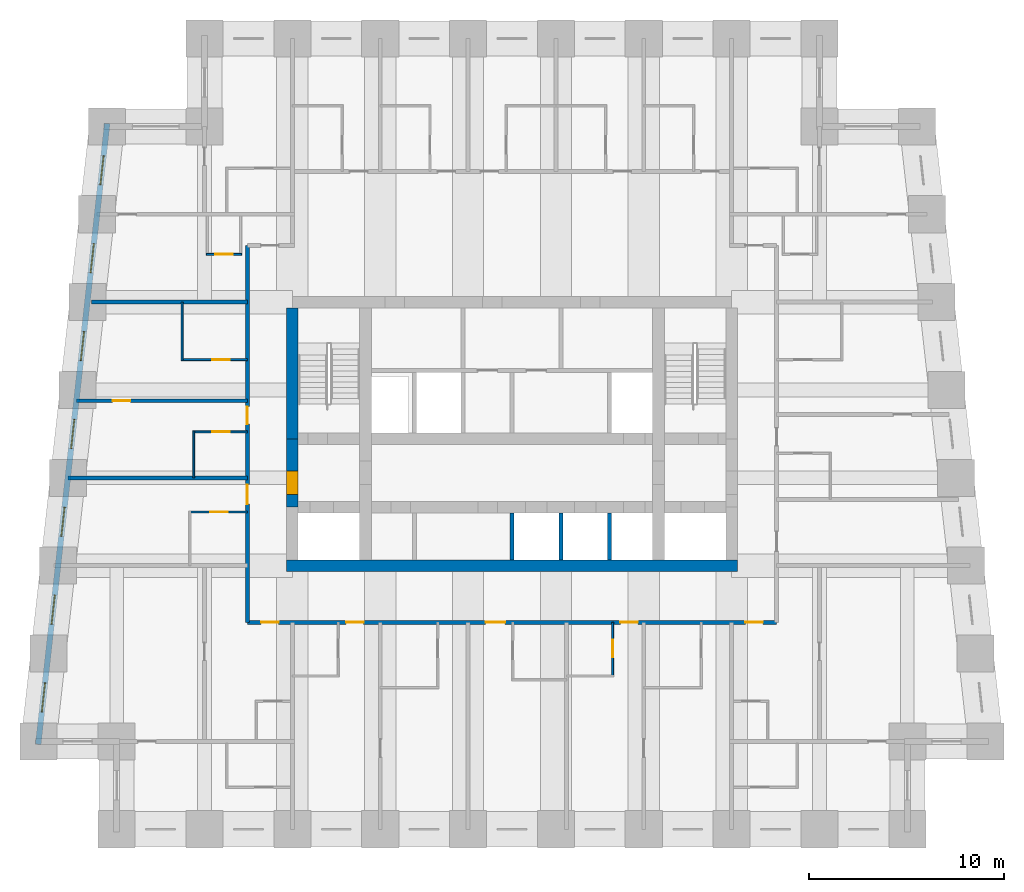
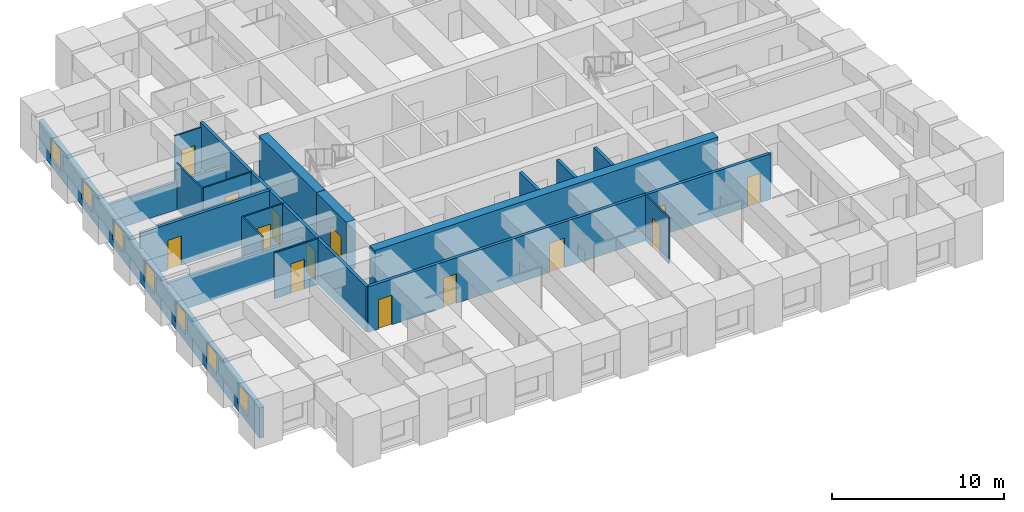
# One storey, part 3 of 8: 19 walls, 14 doors, 7 windows, 21 openings.
"""IFC4 building model written with IfcOpenShell, lengths in metres."""

from ifc_helpers import new_model, si_unit, direction, frame, frame_2d, origin, place, context, subcontext, project, spatial, rectangle, extrude, material, layer, layer_set, type_object, element, fill, save


model = new_model("IFC4")

# Units and contexts
model_context = context("Model", 3, precision=1e-05, world=origin(), true_north=direction((0.0, 1.0)))
body_context = subcontext(model_context, "Body", "Model", "MODEL_VIEW")
ifc_project = project(units=[si_unit("LENGTHUNIT", "METRE"), si_unit("AREAUNIT", "SQUARE_METRE"), si_unit("VOLUMEUNIT", "CUBIC_METRE"), si_unit("PLANEANGLEUNIT", "RADIAN"), si_unit("MASSUNIT", "GRAM", prefix="KILO")], contexts=[model_context])

# Site, building, storey
site_placement = place(None, origin())
site = spatial("IfcSite", under=ifc_project, at=site_placement, CompositionType="ELEMENT")
building_placement = place(site_placement, origin())
building = spatial("IfcBuilding", under=site, at=building_placement, Name="Kilele Tower Hotel", CompositionType="ELEMENT")
storey_placement = place(building_placement, frame((0.0, 0.0, 93.39990234375)))
storey = spatial("IfcBuildingStorey", under=building, at=storey_placement, Name="L23", CompositionType="ELEMENT", Elevation=93.39990234375)

# Wall, opening, door
ifc_material_1 = material(Name="Moisture-resistant board")
ifc_layer_1 = layer(ifc_material_1, 0.10009765625)
ifc_layer_set_1 = layer_set([ifc_layer_1], Name="Moisture-resistant board")
wall_type_1 = type_object("IfcWallType", Name="Bathroom partition 100", PredefinedType="PLUMBINGWALL", material=ifc_layer_set_1)
wall_1_placement = place(storey_placement, frame((29.89990234375, 10.60009765625, 0.0), z_axis=(0.0, 0.0, 1.0), x_axis=(0.0, -1.0, 0.0)))
wall_1 = element("IfcWall", 1, at=wall_1_placement, inside=storey, type_object=wall_type_1, Name="Bathroom partition 100 L23", PredefinedType="PLUMBINGWALL", context=body_context, shape_type="SweptSolid", body=[
    extrude(rectangle(XDim=2.800048828125, YDim=0.10009765625, at=frame_2d((1.39990234375, 0.0))), origin(), (0.0, 0.0, 1.0), 3.25),
])
opening_1_placement = place(wall_1_placement, frame((0.89990234375, 0.0, 0.0)))
opening_1 = element("IfcOpeningElement", 2, at=opening_1_placement, cuts=wall_1, Name="Opening D2A", PredefinedType="OPENING", context=body_context, shape_type="SweptSolid", body=[
    extrude(rectangle(XDim=0.89990234375, YDim=2.10009765625, at=frame_2d((0.449951171875, 1.050048828125))), frame((0.0, 0.06005859375, 0.0), z_axis=(0.0, -1.0, 0.0), x_axis=(1.0, 0.0, 0.0)), (0.0, 0.0, 1.0), 0.1201171875),
])
ifc_material_2 = material(Name="Timber door leaf in hardwood frame", Category="wood")
door_type_1 = type_object("IfcDoorType", Name="Bathroom door 900", OperationType="SINGLE_SWING_LEFT", PredefinedType="DOOR", material=ifc_material_2)
door_1_placement = place(opening_1_placement, origin())
door_1 = element("IfcDoor", 3, at=door_1_placement, inside=storey, type_object=door_type_1, Name="Bathroom door 2304B", OperationType="SINGLE_SWING_LEFT", OverallHeight=2.10009765625, OverallWidth=0.89990234375, PredefinedType="DOOR", context=body_context, shape_type="SweptSolid", body=[
    extrude(rectangle(XDim=0.89990234375, YDim=2.10009765625, at=frame_2d((0.449951171875, 1.050048828125))), frame((0.0, 0.02490234375, 0.0), z_axis=(0.0, -1.0, 0.0), x_axis=(1.0, 0.0, 0.0)), (0.0, 0.0, 1.0), 0.050048828125),
])
fill(opening_1, door_1)

wall_2_placement = place(storey_placement, frame((11.199951171875, 16.25, 0.0), z_axis=(0.0, 0.0, 1.0), x_axis=(-1.0, 0.0, 0.0)))
wall_2 = element("IfcWall", 4, at=wall_2_placement, inside=storey, type_object=wall_type_1, Name="Bathroom partition 100 L23", PredefinedType="PLUMBINGWALL", context=body_context, shape_type="SweptSolid", body=[
    extrude(rectangle(XDim=3.0, YDim=0.10009765625, at=frame_2d((1.5, 0.0))), origin(), (0.0, 0.0, 1.0), 3.25),
])
opening_2_placement = place(wall_2_placement, frame((1.89990234375, 0.0, 0.0), z_axis=(0.0, 0.0, 1.0), x_axis=(-1.0, 0.0, 0.0)))
opening_2 = element("IfcOpeningElement", 5, at=opening_2_placement, cuts=wall_2, Name="Opening D2A", PredefinedType="OPENING", context=body_context, shape_type="SweptSolid", body=[
    extrude(rectangle(XDim=0.89990234375, YDim=2.10009765625, at=frame_2d((0.449951171875, 1.050048828125))), frame((0.0, 0.06005859375, 0.0), z_axis=(0.0, -1.0, 0.0), x_axis=(1.0, 0.0, 0.0)), (0.0, 0.0, 1.0), 0.1201171875),
])
door_2_placement = place(opening_2_placement, origin())
door_2 = element("IfcDoor", 6, at=door_2_placement, inside=storey, type_object=door_type_1, Name="Bathroom door 2314B", OperationType="SINGLE_SWING_RIGHT", OverallHeight=2.10009765625, OverallWidth=0.89990234375, PredefinedType="DOOR", context=body_context, shape_type="SweptSolid", body=[
    extrude(rectangle(XDim=0.89990234375, YDim=2.10009765625, at=frame_2d((0.449951171875, 1.050048828125))), frame((0.0, 0.02490234375, 0.0), z_axis=(0.0, -1.0, 0.0), x_axis=(1.0, 0.0, 0.0)), (0.0, 0.0, 1.0), 0.050048828125),
])
fill(opening_2, door_2)

# Wall
wall_3_placement = place(storey_placement, frame((8.449951171875, 18.0, 0.0), z_axis=(0.0, 0.0, 1.0), x_axis=(0.0, 1.0, 0.0)))
element("IfcWall", 7, at=wall_3_placement, inside=storey, type_object=wall_type_1, Name="Bathroom partition 100 L23", PredefinedType="PLUMBINGWALL", context=body_context, shape_type="SweptSolid", body=[
    extrude(rectangle(XDim=2.39990234375, YDim=0.10009765625, at=frame_2d((1.199951171875, 0.0))), origin(), (0.0, 0.0, 1.0), 3.25),
])

# Wall, opening, door
wall_4_placement = place(storey_placement, frame((11.199951171875, 20.35009765625, 0.0), z_axis=(0.0, 0.0, 1.0), x_axis=(-1.0, 0.0, 0.0)))
wall_4 = element("IfcWall", 8, at=wall_4_placement, inside=storey, type_object=wall_type_1, Name="Bathroom partition 100 L23", PredefinedType="PLUMBINGWALL", context=body_context, shape_type="SweptSolid", body=[
    extrude(rectangle(XDim=2.800048828125, YDim=0.10009765625, at=frame_2d((1.39990234375, 0.0))), origin(), (0.0, 0.0, 1.0), 3.25),
])
opening_3_placement = place(wall_4_placement, frame((1.7998046875, 0.0, 0.0), z_axis=(0.0, 0.0, 1.0), x_axis=(-1.0, 0.0, 0.0)))
opening_3 = element("IfcOpeningElement", 9, at=opening_3_placement, cuts=wall_4, Name="Opening D2A", PredefinedType="OPENING", context=body_context, shape_type="SweptSolid", body=[
    extrude(rectangle(XDim=0.89990234375, YDim=2.10009765625, at=frame_2d((0.449951171875, 1.050048828125))), frame((0.0, 0.06005859375, 0.0), z_axis=(0.0, -1.0, 0.0), x_axis=(1.0, 0.0, 0.0)), (0.0, 0.0, 1.0), 0.1201171875),
])
door_3_placement = place(opening_3_placement, origin())
door_3 = element("IfcDoor", 10, at=door_3_placement, inside=storey, type_object=door_type_1, Name="Bathroom door 2315B", OperationType="SINGLE_SWING_RIGHT", OverallHeight=2.10009765625, OverallWidth=0.89990234375, PredefinedType="DOOR", context=body_context, shape_type="SweptSolid", body=[
    extrude(rectangle(XDim=0.89990234375, YDim=2.10009765625, at=frame_2d((0.449951171875, 1.050048828125))), frame((0.0, 0.02490234375, 0.0), z_axis=(0.0, -1.0, 0.0), x_axis=(1.0, 0.0, 0.0)), (0.0, 0.0, 1.0), 0.050048828125),
])
fill(opening_3, door_3)

# Wall
wall_5_placement = place(storey_placement, frame((7.85009765625, 24.0, 0.0), z_axis=(0.0, 0.0, 1.0), x_axis=(0.0, 1.0, 0.0)))
element("IfcWall", 11, at=wall_5_placement, inside=storey, type_object=wall_type_1, Name="Bathroom partition 100 L23", PredefinedType="PLUMBINGWALL", context=body_context, shape_type="SweptSolid", body=[
    extrude(rectangle(XDim=3.0, YDim=0.10009765625, at=frame_2d((1.5, 0.0))), origin(), (0.0, 0.0, 1.0), 3.25),
])

# Wall, opening, door
wall_6_placement = place(storey_placement, frame((11.199951171875, 24.050048828125, 0.0), z_axis=(0.0, 0.0, 1.0), x_axis=(-1.0, 0.0, 0.0)))
wall_6 = element("IfcWall", 12, at=wall_6_placement, inside=storey, type_object=wall_type_1, Name="Bathroom partition 100 L23", PredefinedType="PLUMBINGWALL", context=body_context, shape_type="SweptSolid", body=[
    extrude(rectangle(XDim=3.39990234375, YDim=0.10009765625, at=frame_2d((1.699951171875, 0.0))), origin(), (0.0, 0.0, 1.0), 3.25),
])
opening_4_placement = place(wall_6_placement, frame((0.89990234375, 0.0, 0.0)))
opening_4 = element("IfcOpeningElement", 13, at=opening_4_placement, cuts=wall_6, Name="Opening D2A", PredefinedType="OPENING", context=body_context, shape_type="SweptSolid", body=[
    extrude(rectangle(XDim=0.89990234375, YDim=2.10009765625, at=frame_2d((0.449951171875, 1.050048828125))), frame((0.0, 0.06005859375, 0.0), z_axis=(0.0, -1.0, 0.0), x_axis=(1.0, 0.0, 0.0)), (0.0, 0.0, 1.0), 0.1201171875),
])
door_4_placement = place(opening_4_placement, origin())
door_4 = element("IfcDoor", 14, at=door_4_placement, inside=storey, type_object=door_type_1, Name="Bathroom door 2316B", OperationType="SINGLE_SWING_LEFT", OverallHeight=2.10009765625, OverallWidth=0.89990234375, PredefinedType="DOOR", context=body_context, shape_type="SweptSolid", body=[
    extrude(rectangle(XDim=0.89990234375, YDim=2.10009765625, at=frame_2d((0.449951171875, 1.050048828125))), frame((0.0, 0.02490234375, 0.0), z_axis=(0.0, -1.0, 0.0), x_axis=(1.0, 0.0, 0.0)), (0.0, 0.0, 1.0), 0.050048828125),
])
fill(opening_4, door_4)

wall_7_placement = place(storey_placement, frame((10.89990234375, 29.449951171875, 0.0), z_axis=(0.0, 0.0, 1.0), x_axis=(-1.0, 0.0, 0.0)))
wall_7 = element("IfcWall", 15, at=wall_7_placement, inside=storey, type_object=wall_type_1, Name="Bathroom partition 100 L23", PredefinedType="PLUMBINGWALL", context=body_context, shape_type="SweptSolid", body=[
    extrude(rectangle(XDim=1.7998046875, YDim=0.10009765625, at=frame_2d((0.89990234375, 0.0))), origin(), (0.0, 0.0, 1.0), 3.25),
])
opening_5_placement = place(wall_7_placement, frame((0.449951171875, 0.0, 0.0)))
opening_5 = element("IfcOpeningElement", 16, at=opening_5_placement, cuts=wall_7, Name="Opening D2A", PredefinedType="OPENING", context=body_context, shape_type="SweptSolid", body=[
    extrude(rectangle(XDim=0.89990234375, YDim=2.10009765625, at=frame_2d((0.449951171875, 1.050048828125))), frame((0.0, 0.06005859375, 0.0), z_axis=(0.0, -1.0, 0.0), x_axis=(1.0, 0.0, 0.0)), (0.0, 0.0, 1.0), 0.1201171875),
])
door_5_placement = place(opening_5_placement, origin())
door_5 = element("IfcDoor", 17, at=door_5_placement, inside=storey, type_object=door_type_1, Name="Bathroom door 2326P", OperationType="SINGLE_SWING_LEFT", OverallHeight=2.10009765625, OverallWidth=0.89990234375, PredefinedType="DOOR", context=body_context, shape_type="SweptSolid", body=[
    extrude(rectangle(XDim=0.89990234375, YDim=2.10009765625, at=frame_2d((0.449951171875, 1.050048828125))), frame((0.0, 0.02490234375, 0.0), z_axis=(0.0, -1.0, 0.0), x_axis=(1.0, 0.0, 0.0)), (0.0, 0.0, 1.0), 0.050048828125),
])
fill(opening_5, door_5)

# Walls
ifc_material_3 = material(Name="Concrete C60/75", Category="concrete")
ifc_layer_2 = layer(ifc_material_3, 0.60009765625)
ifc_layer_set_2 = layer_set([ifc_layer_2], Name="Concrete C60/75")
wall_type_2 = type_object("IfcWallType", Name="Core wall 600 C60/75", PredefinedType="SHEAR", material=ifc_layer_set_2)
wall_8_placement = place(storey_placement, frame((13.199951171875, 13.5, 0.0), z_axis=(0.0, 0.0, 1.0), x_axis=(1.0, 0.0, 0.0)))
element("IfcWall", 18, at=wall_8_placement, inside=storey, type_object=wall_type_2, Name="Core wall S L23", PredefinedType="SHEAR", context=body_context, shape_type="SweptSolid", body=[
    extrude(rectangle(XDim=23.10009765625, YDim=0.60009765625, at=frame_2d((11.550048828125, 0.0))), origin(), (0.0, 0.0, 1.0), 3.5),
])
wall_9_placement = place(storey_placement, frame((13.5, 26.699951171875, 0.0), z_axis=(0.0, 0.0, 1.0), x_axis=(0.0, -1.0, 0.0)))
element("IfcWall", 19, at=wall_9_placement, inside=storey, type_object=wall_type_2, Name="Core wall W1 L23", PredefinedType="SHEAR", context=body_context, shape_type="SweptSolid", body=[
    extrude(rectangle(XDim=6.699951171875, YDim=0.60009765625, at=frame_2d((3.35009765625, 0.0))), origin(), (0.0, 0.0, 1.0), 3.5),
])

# Wall, opening, door
wall_10_placement = place(storey_placement, frame((13.5, 20.0, 0.0), z_axis=(0.0, 0.0, 1.0), x_axis=(0.0, -1.0, 0.0)))
wall_10 = element("IfcWall", 20, at=wall_10_placement, inside=storey, type_object=wall_type_2, Name="Core wall W2 L23", PredefinedType="SHEAR", context=body_context, shape_type="SweptSolid", body=[
    extrude(rectangle(XDim=3.5, YDim=0.60009765625, at=frame_2d((1.75, 0.0))), origin(), (0.0, 0.0, 1.0), 3.5),
])
opening_6_placement = place(wall_10_placement, frame((1.64990234375, 0.0, 0.0)))
opening_6 = element("IfcOpeningElement", 21, at=opening_6_placement, cuts=wall_10, Name="Opening D4", PredefinedType="OPENING", context=body_context, shape_type="SweptSolid", body=[
    extrude(rectangle(XDim=1.199951171875, YDim=2.10009765625, at=frame_2d((0.60009765625, 1.050048828125))), frame((0.0, 0.31005859375, 0.0), z_axis=(0.0, -1.0, 0.0), x_axis=(1.0, 0.0, 0.0)), (0.0, 0.0, 1.0), 0.6201171875),
])
ifc_material_4 = material(Name="Timber door leaf in hardwood frame", Category="wood")
door_type_2 = type_object("IfcDoorType", Name="Firefighting lobby door 1200", OperationType="SINGLE_SWING_LEFT", PredefinedType="DOOR", material=ifc_material_4)
door_6_placement = place(opening_6_placement, origin())
door_6 = element("IfcDoor", 22, at=door_6_placement, inside=storey, type_object=door_type_2, Name="Lobby door L23", OperationType="SINGLE_SWING_RIGHT", OverallHeight=2.10009765625, OverallWidth=1.199951171875, PredefinedType="DOOR", context=body_context, shape_type="SweptSolid", body=[
    extrude(rectangle(XDim=1.199951171875, YDim=2.10009765625, at=frame_2d((0.60009765625, 1.050048828125))), frame((0.0, 0.2998046875, 0.0), z_axis=(0.0, -1.0, 0.0), x_axis=(1.0, 0.0, 0.0)), (0.0, 0.0, 1.0), 0.599609375),
])
fill(opening_6, door_6)

# Wall, openings, doors
ifc_material_5 = material(Name="Blockwork, plastered both sides", Category="masonry")
ifc_layer_3 = layer(ifc_material_5, 0.199951171875)
ifc_layer_set_3 = layer_set([ifc_layer_3], Name="Blockwork, plastered both sides")
wall_type_3 = type_object("IfcWallType", Name="Corridor wall 200", PredefinedType="PARTITIONING", material=ifc_layer_set_3)
wall_11_placement = place(storey_placement, frame((11.199951171875, 10.60009765625, 0.0), z_axis=(0.0, 0.0, 1.0), x_axis=(1.0, 0.0, 0.0)))
wall_11 = element("IfcWall", 23, at=wall_11_placement, inside=storey, type_object=wall_type_3, Name="Corridor wall 200 L23", PredefinedType="PARTITIONING", context=body_context, shape_type="SweptSolid", body=[
    extrude(rectangle(XDim=27.10009765625, YDim=0.199951171875, at=frame_2d((13.550048828125, 0.0))), origin(), (0.0, 0.0, 1.0), 3.25),
])
opening_7_placement = place(wall_11_placement, frame((5.949951171875, 0.0, 0.0), z_axis=(0.0, 0.0, 1.0), x_axis=(-1.0, 0.0, 0.0)))
opening_7 = element("IfcOpeningElement", 24, at=opening_7_placement, cuts=wall_11, Name="Opening D1", PredefinedType="OPENING", context=body_context, shape_type="SweptSolid", body=[
    extrude(rectangle(XDim=0.89990234375, YDim=2.10009765625, at=frame_2d((0.449951171875, 1.050048828125))), frame((0.0, 0.10986328125, 0.0), z_axis=(0.0, -1.0, 0.0), x_axis=(1.0, 0.0, 0.0)), (0.0, 0.0, 1.0), 0.219970703125),
])
opening_8_placement = place(wall_11_placement, frame((13.199951171875, 0.0, 0.0), z_axis=(0.0, 0.0, 1.0), x_axis=(-1.0, 0.0, 0.0)))
opening_8 = element("IfcOpeningElement", 25, at=opening_8_placement, cuts=wall_11, Name="Opening D1A", PredefinedType="OPENING", context=body_context, shape_type="SweptSolid", body=[
    extrude(rectangle(XDim=1.0, YDim=2.10009765625, at=frame_2d((0.5, 1.050048828125))), frame((0.0, 0.10986328125, 0.0), z_axis=(0.0, -1.0, 0.0), x_axis=(1.0, 0.0, 0.0)), (0.0, 0.0, 1.0), 0.219970703125),
])
opening_9_placement = place(wall_11_placement, frame((20.0, 0.0, 0.0), z_axis=(0.0, 0.0, 1.0), x_axis=(-1.0, 0.0, 0.0)))
opening_9 = element("IfcOpeningElement", 26, at=opening_9_placement, cuts=wall_11, Name="Opening D1", PredefinedType="OPENING", context=body_context, shape_type="SweptSolid", body=[
    extrude(rectangle(XDim=0.89990234375, YDim=2.10009765625, at=frame_2d((0.449951171875, 1.050048828125))), frame((0.0, 0.10986328125, 0.0), z_axis=(0.0, -1.0, 0.0), x_axis=(1.0, 0.0, 0.0)), (0.0, 0.0, 1.0), 0.219970703125),
])
opening_10_placement = place(wall_11_placement, frame((1.599853515625, 0.0, 0.0), z_axis=(0.0, 0.0, 1.0), x_axis=(-1.0, 0.0, 0.0)))
opening_10 = element("IfcOpeningElement", 27, at=opening_10_placement, cuts=wall_11, Name="Opening D1", PredefinedType="OPENING", context=body_context, shape_type="SweptSolid", body=[
    extrude(rectangle(XDim=0.89990234375, YDim=2.10009765625, at=frame_2d((0.449951171875, 1.050048828125))), frame((0.0, 0.10986328125, 0.0), z_axis=(0.0, -1.0, 0.0), x_axis=(1.0, 0.0, 0.0)), (0.0, 0.0, 1.0), 0.219970703125),
])
opening_11_placement = place(wall_11_placement, frame((26.39990234375, 0.0, 0.0), z_axis=(0.0, 0.0, 1.0), x_axis=(-1.0, 0.0, 0.0)))
opening_11 = element("IfcOpeningElement", 28, at=opening_11_placement, cuts=wall_11, Name="Opening D1", PredefinedType="OPENING", context=body_context, shape_type="SweptSolid", body=[
    extrude(rectangle(XDim=0.89990234375, YDim=2.10009765625, at=frame_2d((0.449951171875, 1.050048828125))), frame((0.0, 0.10986328125, 0.0), z_axis=(0.0, -1.0, 0.0), x_axis=(1.0, 0.0, 0.0)), (0.0, 0.0, 1.0), 0.219970703125),
])
ifc_material_6 = material(Name="Timber door leaf in hardwood frame", Category="wood")
door_type_3 = type_object("IfcDoorType", Name="Guest room entrance door 1000", OperationType="SINGLE_SWING_LEFT", PredefinedType="DOOR", material=ifc_material_6)
door_7_placement = place(opening_8_placement, origin())
door_7 = element("IfcDoor", 29, at=door_7_placement, inside=storey, type_object=door_type_3, Name="Room entrance 2303", OperationType="SINGLE_SWING_LEFT", OverallHeight=2.10009765625, OverallWidth=1.0, PredefinedType="DOOR", context=body_context, shape_type="SweptSolid", body=[
    extrude(rectangle(XDim=1.0, YDim=2.10009765625, at=frame_2d((0.5, 1.050048828125))), frame((0.0, 0.02490234375, 0.0), z_axis=(0.0, -1.0, 0.0), x_axis=(1.0, 0.0, 0.0)), (0.0, 0.0, 1.0), 0.050048828125),
])
fill(opening_8, door_7)
ifc_material_7 = material(Name="Timber door leaf in hardwood frame", Category="wood")
door_type_4 = type_object("IfcDoorType", Name="Guest room entrance door 900", OperationType="SINGLE_SWING_LEFT", PredefinedType="DOOR", material=ifc_material_7)
door_8_placement = place(opening_7_placement, origin())
door_8 = element("IfcDoor", 30, at=door_8_placement, inside=storey, type_object=door_type_4, Name="Room entrance 2301", OperationType="SINGLE_SWING_RIGHT", OverallHeight=2.10009765625, OverallWidth=0.89990234375, PredefinedType="DOOR", context=body_context, shape_type="SweptSolid", body=[
    extrude(rectangle(XDim=0.89990234375, YDim=2.10009765625, at=frame_2d((0.449951171875, 1.050048828125))), frame((0.0, 0.02490234375, 0.0), z_axis=(0.0, -1.0, 0.0), x_axis=(1.0, 0.0, 0.0)), (0.0, 0.0, 1.0), 0.050048828125),
])
fill(opening_7, door_8)
door_9_placement = place(opening_9_placement, origin())
door_9 = element("IfcDoor", 31, at=door_9_placement, inside=storey, type_object=door_type_4, Name="Room entrance 2304", OperationType="SINGLE_SWING_LEFT", OverallHeight=2.10009765625, OverallWidth=0.89990234375, PredefinedType="DOOR", context=body_context, shape_type="SweptSolid", body=[
    extrude(rectangle(XDim=0.89990234375, YDim=2.10009765625, at=frame_2d((0.449951171875, 1.050048828125))), frame((0.0, 0.02490234375, 0.0), z_axis=(0.0, -1.0, 0.0), x_axis=(1.0, 0.0, 0.0)), (0.0, 0.0, 1.0), 0.050048828125),
])
fill(opening_9, door_9)
door_10_placement = place(opening_10_placement, origin())
door_10 = element("IfcDoor", 32, at=door_10_placement, inside=storey, type_object=door_type_4, Name="Room entrance 2317", OperationType="SINGLE_SWING_LEFT", OverallHeight=2.10009765625, OverallWidth=0.89990234375, PredefinedType="DOOR", context=body_context, shape_type="SweptSolid", body=[
    extrude(rectangle(XDim=0.89990234375, YDim=2.10009765625, at=frame_2d((0.449951171875, 1.050048828125))), frame((0.0, 0.02490234375, 0.0), z_axis=(0.0, -1.0, 0.0), x_axis=(1.0, 0.0, 0.0)), (0.0, 0.0, 1.0), 0.050048828125),
])
fill(opening_10, door_10)
door_11_placement = place(opening_11_placement, origin())
door_11 = element("IfcDoor", 33, at=door_11_placement, inside=storey, type_object=door_type_4, Name="Room entrance 2320", OperationType="SINGLE_SWING_RIGHT", OverallHeight=2.10009765625, OverallWidth=0.89990234375, PredefinedType="DOOR", context=body_context, shape_type="SweptSolid", body=[
    extrude(rectangle(XDim=0.89990234375, YDim=2.10009765625, at=frame_2d((0.449951171875, 1.050048828125))), frame((0.0, 0.02490234375, 0.0), z_axis=(0.0, -1.0, 0.0), x_axis=(1.0, 0.0, 0.0)), (0.0, 0.0, 1.0), 0.050048828125),
])
fill(opening_11, door_11)

wall_12_placement = place(storey_placement, frame((11.199951171875, 10.60009765625, 0.0), z_axis=(0.0, 0.0, 1.0), x_axis=(0.0, 1.0, 0.0)))
wall_12 = element("IfcWall", 34, at=wall_12_placement, inside=storey, type_object=wall_type_3, Name="Corridor wall 200 L23", PredefinedType="PARTITIONING", context=body_context, shape_type="SweptSolid", body=[
    extrude(rectangle(XDim=19.2998046875, YDim=0.199951171875, at=frame_2d((9.64990234375, 0.0))), origin(), (0.0, 0.0, 1.0), 3.25),
])
opening_12_placement = place(wall_12_placement, frame((6.050048828125, 0.0, 0.0)))
opening_12 = element("IfcOpeningElement", 35, at=opening_12_placement, cuts=wall_12, Name="Opening D8", PredefinedType="OPENING", context=body_context, shape_type="SweptSolid", body=[
    extrude(rectangle(XDim=1.0, YDim=2.10009765625, at=frame_2d((0.5, 1.050048828125))), frame((0.0, 0.10986328125, 0.0), z_axis=(0.0, -1.0, 0.0), x_axis=(1.0, 0.0, 0.0)), (0.0, 0.0, 1.0), 0.219970703125),
])
opening_13_placement = place(wall_12_placement, frame((10.14990234375, 0.0, 0.0)))
opening_13 = element("IfcOpeningElement", 36, at=opening_13_placement, cuts=wall_12, Name="Opening D1", PredefinedType="OPENING", context=body_context, shape_type="SweptSolid", body=[
    extrude(rectangle(XDim=0.89990234375, YDim=2.10009765625, at=frame_2d((0.449951171875, 1.050048828125))), frame((0.0, 0.10986328125, 0.0), z_axis=(0.0, -1.0, 0.0), x_axis=(1.0, 0.0, 0.0)), (0.0, 0.0, 1.0), 0.219970703125),
])
ifc_material_8 = material(Name="Timber door leaf in hardwood frame", Category="wood")
door_type_5 = type_object("IfcDoorType", Name="Door 1000", OperationType="SINGLE_SWING_LEFT", PredefinedType="DOOR", material=ifc_material_8)
door_12_placement = place(opening_12_placement, origin())
door_12 = element("IfcDoor", 37, at=door_12_placement, inside=storey, type_object=door_type_5, Name="Room entrance 2314", OperationType="SINGLE_SWING_LEFT", OverallHeight=2.10009765625, OverallWidth=1.0, PredefinedType="DOOR", context=body_context, shape_type="SweptSolid", body=[
    extrude(rectangle(XDim=1.0, YDim=2.10009765625, at=frame_2d((0.5, 1.050048828125))), frame((0.0, 0.02490234375, 0.0), z_axis=(0.0, -1.0, 0.0), x_axis=(1.0, 0.0, 0.0)), (0.0, 0.0, 1.0), 0.050048828125),
])
fill(opening_12, door_12)
door_13_placement = place(opening_13_placement, origin())
door_13 = element("IfcDoor", 38, at=door_13_placement, inside=storey, type_object=door_type_4, Name="Room entrance 2315", OperationType="SINGLE_SWING_RIGHT", OverallHeight=2.10009765625, OverallWidth=0.89990234375, PredefinedType="DOOR", context=body_context, shape_type="SweptSolid", body=[
    extrude(rectangle(XDim=0.89990234375, YDim=2.10009765625, at=frame_2d((0.449951171875, 1.050048828125))), frame((0.0, 0.02490234375, 0.0), z_axis=(0.0, -1.0, 0.0), x_axis=(1.0, 0.0, 0.0)), (0.0, 0.0, 1.0), 0.050048828125),
])
fill(opening_13, door_13)

# Wall
ifc_material_9 = material(Name="Blockwork, plastered both sides", Category="masonry")
ifc_layer_4 = layer(ifc_material_9, 0.199951171875)
ifc_layer_set_4 = layer_set([ifc_layer_4], Name="Blockwork, plastered both sides")
wall_type_4 = type_object("IfcWallType", Name="Party wall 200", PredefinedType="PARTITIONING", material=ifc_layer_set_4)
wall_13_placement = place(storey_placement, frame((11.199951171875, 18.0, 0.0), z_axis=(0.0, 0.0, 1.0), x_axis=(-1.0, 0.0, 0.0)))
element("IfcWall", 39, at=wall_13_placement, inside=storey, type_object=wall_type_4, Name="Party wall 200 L23", PredefinedType="PARTITIONING", context=body_context, shape_type="SweptSolid", body=[
    extrude(rectangle(XDim=9.198974609375, YDim=0.199951171875, at=frame_2d((4.599609375, 0.0))), origin(), (0.0, 0.0, 1.0), 2.25),
])

# Wall, opening, door
wall_14_placement = place(storey_placement, frame((11.199951171875, 21.949951171875, 0.0), z_axis=(0.0, 0.0, 1.0), x_axis=(-1.0, 0.0, 0.0)))
wall_14 = element("IfcWall", 40, at=wall_14_placement, inside=storey, type_object=wall_type_4, Name="Party wall 200 L23", PredefinedType="PARTITIONING", context=body_context, shape_type="SweptSolid", body=[
    extrude(rectangle(XDim=8.76025390625, YDim=0.199951171875, at=frame_2d((4.380126953125, 0.0))), origin(), (0.0, 0.0, 1.0), 3.25),
])
opening_14_placement = place(wall_14_placement, frame((6.89990234375, 0.0, 0.0), z_axis=(0.0, 0.0, 1.0), x_axis=(-1.0, 0.0, 0.0)))
opening_14 = element("IfcOpeningElement", 41, at=opening_14_placement, cuts=wall_14, Name="Opening D3", PredefinedType="OPENING", context=body_context, shape_type="SweptSolid", body=[
    extrude(rectangle(XDim=0.89990234375, YDim=2.10009765625, at=frame_2d((0.449951171875, 1.050048828125))), frame((0.0, 0.10986328125, 0.0), z_axis=(0.0, -1.0, 0.0), x_axis=(1.0, 0.0, 0.0)), (0.0, 0.0, 1.0), 0.219970703125),
])
ifc_material_10 = material(Name="Timber door leaf in hardwood frame", Category="wood")
door_type_6 = type_object("IfcDoorType", Name="Suite internal door 900", OperationType="SINGLE_SWING_LEFT", PredefinedType="DOOR", material=ifc_material_10)
door_14_placement = place(opening_14_placement, origin())
door_14 = element("IfcDoor", 42, at=door_14_placement, inside=storey, type_object=door_type_6, Name="Suite door 2316", OperationType="SINGLE_SWING_LEFT", OverallHeight=2.10009765625, OverallWidth=0.89990234375, PredefinedType="DOOR", context=body_context, shape_type="SweptSolid", body=[
    extrude(rectangle(XDim=0.89990234375, YDim=2.10009765625, at=frame_2d((0.449951171875, 1.050048828125))), frame((0.0, 0.02490234375, 0.0), z_axis=(0.0, -1.0, 0.0), x_axis=(1.0, 0.0, 0.0)), (0.0, 0.0, 1.0), 0.050048828125),
])
fill(opening_14, door_14)

# Wall
wall_15_placement = place(storey_placement, frame((11.199951171875, 27.0, 0.0), z_axis=(0.0, 0.0, 1.0), x_axis=(-1.0, 0.0, 0.0)))
element("IfcWall", 43, at=wall_15_placement, inside=storey, type_object=wall_type_4, Name="Party wall 200 L23", PredefinedType="PARTITIONING", context=body_context, shape_type="SweptSolid", body=[
    extrude(rectangle(XDim=7.976806640625, YDim=0.199951171875, at=frame_2d((3.98828125, 0.0))), origin(), (0.0, 0.0, 1.0), 1.9501953125),
])

# Wall, openings, windows
ifc_material_11 = material(Name="Concrete C40/50 precast", Category="concrete")
ifc_layer_5 = layer(ifc_material_11, 0.260009765625, Name="Precast backing", Category="LoadBearing")
ifc_material_12 = material(Name="Reconstituted stone finish", Category="masonry")
ifc_layer_6 = layer(ifc_material_12, 0.0400390625, Name="Face mix", Category="Finish")
ifc_layer_set_5 = layer_set([ifc_layer_5, ifc_layer_6], Name="Precast concrete C40/50, reconstituted stone finish")
wall_type_5 = type_object("IfcWallType", Name="Precast stone facade wall 300", PredefinedType="STANDARD", material=ifc_layer_set_5)
wall_16_placement = place(storey_placement, frame((4.0166015625, 36.149169921875, 0.0), z_axis=(0.0, 0.0, 1.0), x_axis=(-0.110433201132, -0.993883548555, 0.0)))
wall_16 = element("IfcWall", 44, at=wall_16_placement, inside=storey, type_object=wall_type_5, Name="Facade wall L23 edge 12", PredefinedType="STANDARD", context=body_context, shape_type="SweptSolid", body=[
    extrude(rectangle(XDim=31.994140625, YDim=0.300048828125, at=frame_2d((15.9970703125, 0.0))), origin(), (0.0, 0.0, 1.0), 2.150146484375),
])
opening_15_placement = place(wall_16_placement, frame((1.6640625, 0.0, 0.5)))
opening_15 = element("IfcOpeningElement", 45, at=opening_15_placement, cuts=wall_16, Name="Opening W2", PredefinedType="OPENING", context=body_context, shape_type="SweptSolid", body=[
    extrude(rectangle(XDim=1.5, YDim=1.5, at=frame_2d((0.75, 0.75))), frame((0.0, 0.159912109375, 0.0), z_axis=(0.0, -1.0, 0.0), x_axis=(1.0, 0.0, 0.0)), (0.0, 0.0, 1.0), 0.320068359375),
])
opening_16_placement = place(wall_16_placement, frame((6.19189453125, 0.0, 0.5)))
opening_16 = element("IfcOpeningElement", 46, at=opening_16_placement, cuts=wall_16, Name="Opening W2", PredefinedType="OPENING", context=body_context, shape_type="SweptSolid", body=[
    extrude(rectangle(XDim=1.5, YDim=1.5, at=frame_2d((0.75, 0.75))), frame((0.0, 0.159912109375, 0.0), z_axis=(0.0, -1.0, 0.0), x_axis=(1.0, 0.0, 0.0)), (0.0, 0.0, 1.0), 0.320068359375),
])
opening_17_placement = place(wall_16_placement, frame((10.718994140625, 0.0, 0.5)))
opening_17 = element("IfcOpeningElement", 47, at=opening_17_placement, cuts=wall_16, Name="Opening W2", PredefinedType="OPENING", context=body_context, shape_type="SweptSolid", body=[
    extrude(rectangle(XDim=1.5, YDim=1.5, at=frame_2d((0.75, 0.75))), frame((0.0, 0.159912109375, 0.0), z_axis=(0.0, -1.0, 0.0), x_axis=(1.0, 0.0, 0.0)), (0.0, 0.0, 1.0), 0.320068359375),
])
opening_18_placement = place(wall_16_placement, frame((15.2470703125, 0.0, 0.5)))
opening_18 = element("IfcOpeningElement", 48, at=opening_18_placement, cuts=wall_16, Name="Opening W2", PredefinedType="OPENING", context=body_context, shape_type="SweptSolid", body=[
    extrude(rectangle(XDim=1.5, YDim=1.5, at=frame_2d((0.75, 0.75))), frame((0.0, 0.159912109375, 0.0), z_axis=(0.0, -1.0, 0.0), x_axis=(1.0, 0.0, 0.0)), (0.0, 0.0, 1.0), 0.320068359375),
])
opening_19_placement = place(wall_16_placement, frame((19.77490234375, 0.0, 0.5)))
opening_19 = element("IfcOpeningElement", 49, at=opening_19_placement, cuts=wall_16, Name="Opening W2", PredefinedType="OPENING", context=body_context, shape_type="SweptSolid", body=[
    extrude(rectangle(XDim=1.5, YDim=1.5, at=frame_2d((0.75, 0.75))), frame((0.0, 0.159912109375, 0.0), z_axis=(0.0, -1.0, 0.0), x_axis=(1.0, 0.0, 0.0)), (0.0, 0.0, 1.0), 0.320068359375),
])
opening_20_placement = place(wall_16_placement, frame((24.302001953125, 0.0, 0.5)))
opening_20 = element("IfcOpeningElement", 50, at=opening_20_placement, cuts=wall_16, Name="Opening W2", PredefinedType="OPENING", context=body_context, shape_type="SweptSolid", body=[
    extrude(rectangle(XDim=1.5, YDim=1.5, at=frame_2d((0.75, 0.75))), frame((0.0, 0.159912109375, 0.0), z_axis=(0.0, -1.0, 0.0), x_axis=(1.0, 0.0, 0.0)), (0.0, 0.0, 1.0), 0.320068359375),
])
opening_21_placement = place(wall_16_placement, frame((28.830078125, 0.0, 0.5)))
opening_21 = element("IfcOpeningElement", 51, at=opening_21_placement, cuts=wall_16, Name="Opening W2", PredefinedType="OPENING", context=body_context, shape_type="SweptSolid", body=[
    extrude(rectangle(XDim=1.5, YDim=1.5, at=frame_2d((0.75, 0.75))), frame((0.0, 0.159912109375, 0.0), z_axis=(0.0, -1.0, 0.0), x_axis=(1.0, 0.0, 0.0)), (0.0, 0.0, 1.0), 0.320068359375),
])
ifc_material_13 = material(Name="Aluminium frame, clear double glazing", Category="aluminium")
window_type = type_object("IfcWindowType", Name="Window W2 1500 x 1500", PartitioningType="SINGLE_PANEL", PredefinedType="WINDOW", material=ifc_material_13)
window_1_placement = place(opening_15_placement, origin())
window_1 = element("IfcWindow", 52, at=window_1_placement, inside=storey, type_object=window_type, Name="Window L23", OverallHeight=1.5, OverallWidth=1.5, PartitioningType="SINGLE_PANEL", PredefinedType="WINDOW", context=body_context, shape_type="SweptSolid", body=[
    extrude(rectangle(XDim=1.5, YDim=1.5, at=frame_2d((0.75, 0.75))), frame((0.0, 0.030029296875, 0.0), z_axis=(0.0, -1.0, 0.0), x_axis=(1.0, 0.0, 0.0)), (0.0, 0.0, 1.0), 0.06005859375),
])
fill(opening_15, window_1)
window_2_placement = place(opening_16_placement, origin())
window_2 = element("IfcWindow", 53, at=window_2_placement, inside=storey, type_object=window_type, Name="Window L23", OverallHeight=1.5, OverallWidth=1.5, PartitioningType="SINGLE_PANEL", PredefinedType="WINDOW", context=body_context, shape_type="SweptSolid", body=[
    extrude(rectangle(XDim=1.5, YDim=1.5, at=frame_2d((0.75, 0.75))), frame((0.0, 0.030029296875, 0.0), z_axis=(0.0, -1.0, 0.0), x_axis=(1.0, 0.0, 0.0)), (0.0, 0.0, 1.0), 0.06005859375),
])
fill(opening_16, window_2)
window_3_placement = place(opening_17_placement, origin())
window_3 = element("IfcWindow", 54, at=window_3_placement, inside=storey, type_object=window_type, Name="Window L23", OverallHeight=1.5, OverallWidth=1.5, PartitioningType="SINGLE_PANEL", PredefinedType="WINDOW", context=body_context, shape_type="SweptSolid", body=[
    extrude(rectangle(XDim=1.5, YDim=1.5, at=frame_2d((0.75, 0.75))), frame((0.0, 0.030029296875, 0.0), z_axis=(0.0, -1.0, 0.0), x_axis=(1.0, 0.0, 0.0)), (0.0, 0.0, 1.0), 0.06005859375),
])
fill(opening_17, window_3)
window_4_placement = place(opening_18_placement, origin())
window_4 = element("IfcWindow", 55, at=window_4_placement, inside=storey, type_object=window_type, Name="Window L23", OverallHeight=1.5, OverallWidth=1.5, PartitioningType="SINGLE_PANEL", PredefinedType="WINDOW", context=body_context, shape_type="SweptSolid", body=[
    extrude(rectangle(XDim=1.5, YDim=1.5, at=frame_2d((0.75, 0.75))), frame((0.0, 0.030029296875, 0.0), z_axis=(0.0, -1.0, 0.0), x_axis=(1.0, 0.0, 0.0)), (0.0, 0.0, 1.0), 0.06005859375),
])
fill(opening_18, window_4)
window_5_placement = place(opening_19_placement, origin())
window_5 = element("IfcWindow", 56, at=window_5_placement, inside=storey, type_object=window_type, Name="Window L23", OverallHeight=1.5, OverallWidth=1.5, PartitioningType="SINGLE_PANEL", PredefinedType="WINDOW", context=body_context, shape_type="SweptSolid", body=[
    extrude(rectangle(XDim=1.5, YDim=1.5, at=frame_2d((0.75, 0.75))), frame((0.0, 0.030029296875, 0.0), z_axis=(0.0, -1.0, 0.0), x_axis=(1.0, 0.0, 0.0)), (0.0, 0.0, 1.0), 0.06005859375),
])
fill(opening_19, window_5)
window_6_placement = place(opening_20_placement, origin())
window_6 = element("IfcWindow", 57, at=window_6_placement, inside=storey, type_object=window_type, Name="Window L23", OverallHeight=1.5, OverallWidth=1.5, PartitioningType="SINGLE_PANEL", PredefinedType="WINDOW", context=body_context, shape_type="SweptSolid", body=[
    extrude(rectangle(XDim=1.5, YDim=1.5, at=frame_2d((0.75, 0.75))), frame((0.0, 0.030029296875, 0.0), z_axis=(0.0, -1.0, 0.0), x_axis=(1.0, 0.0, 0.0)), (0.0, 0.0, 1.0), 0.06005859375),
])
fill(opening_20, window_6)
window_7_placement = place(opening_21_placement, origin())
window_7 = element("IfcWindow", 58, at=window_7_placement, inside=storey, type_object=window_type, Name="Window L23", OverallHeight=1.5, OverallWidth=1.5, PartitioningType="SINGLE_PANEL", PredefinedType="WINDOW", context=body_context, shape_type="SweptSolid", body=[
    extrude(rectangle(XDim=1.5, YDim=1.5, at=frame_2d((0.75, 0.75))), frame((0.0, 0.030029296875, 0.0), z_axis=(0.0, -1.0, 0.0), x_axis=(1.0, 0.0, 0.0)), (0.0, 0.0, 1.0), 0.06005859375),
])
fill(opening_21, window_7)

# Walls
ifc_material_14 = material(Name="Blockwork, fire-rated", Category="masonry")
ifc_layer_7 = layer(ifc_material_14, 0.199951171875)
ifc_layer_set_6 = layer_set([ifc_layer_7], Name="Blockwork, fire-rated")
wall_type_6 = type_object("IfcWallType", Name="Shaft wall 200", PredefinedType="PARTITIONING", material=ifc_layer_set_6)
for number, where, z_axis, x_axis, name in (
    (59, (24.75, 13.800048828125, 0.0), (0.0, 0.0, 1.0), (0.0, 1.0, 0.0), "Shaft wall 200 L23"),
    (60, (27.25, 13.800048828125, 0.0), (0.0, 0.0, 1.0), (0.0, 1.0, 0.0), "Shaft wall 200 L23"),
    (61, (29.75, 13.800048828125, 0.0), (0.0, 0.0, 1.0), (0.0, 1.0, 0.0), "Shaft wall 200 L23"),
):
    element("IfcWall", number, at=place(storey_placement, frame(where, z_axis=z_axis, x_axis=x_axis)), inside=storey, type_object=wall_type_6, Name=name, PredefinedType="PARTITIONING", context=body_context, shape_type="SweptSolid", body=[
        extrude(rectangle(XDim=2.39990234375, YDim=0.199951171875, at=frame_2d((1.199951171875, 0.0))), origin(), (0.0, 0.0, 1.0), 3.25),
    ])

save(model, "model.ifc")
